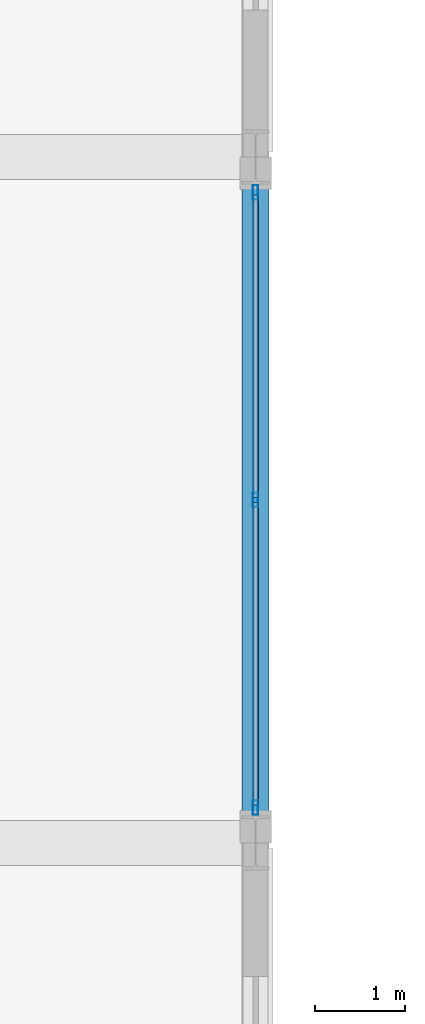
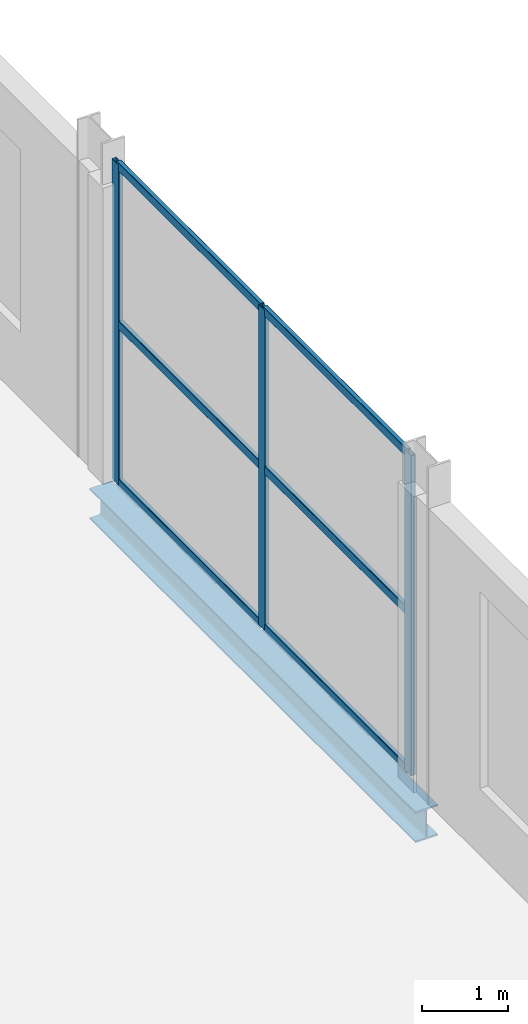
# One storey, part 76 of 120: 9 members, 1 beam, 1 element without a shape of its own.
"""IFC4 building model written with IfcOpenShell, lengths in metres."""

from ifc_helpers import new_model, si_unit, direction, frame, origin, origin_2d, place, context, subcontext, project, spatial, hollow_rectangle, i_section, extrude, material, layer, layer_set, material_profile, profile_set, type_object, element, aggregate, save


model = new_model("IFC4")

# Units and contexts
model_context = context("Model", 3, precision=1e-05, world=origin(), true_north=direction((0.0, 1.0)))
body_context = subcontext(model_context, "Body", "Model", "MODEL_VIEW")
ifc_project = project(units=[si_unit("LENGTHUNIT", "METRE"), si_unit("AREAUNIT", "SQUARE_METRE"), si_unit("VOLUMEUNIT", "CUBIC_METRE"), si_unit("PLANEANGLEUNIT", "RADIAN"), si_unit("MASSUNIT", "GRAM", prefix="KILO")], contexts=[model_context])

# Site, building, storey
site_placement = place(None, origin())
site = spatial("IfcSite", under=ifc_project, at=site_placement, CompositionType="ELEMENT")
building_placement = place(site_placement, origin())
building = spatial("IfcBuilding", under=site, at=building_placement, Name="Vekula Escarpment Museum", CompositionType="ELEMENT")
storey_placement = place(building_placement, frame((0.0, 0.0, 13.199951171875)))
storey = spatial("IfcBuildingStorey", under=building, at=storey_placement, Name="L03", CompositionType="ELEMENT", Elevation=13.199951171875)

# Beam
ifc_material_1 = material(Name="Steel S355", Category="steel")
ifc_material_profile_1 = material_profile(ifc_material_1, i_section(OverallWidth=0.300048828125, OverallDepth=0.43994140625, WebThickness=0.011474609375, FlangeThickness=0.02099609375, FilletRadius=0.027099609375, at=origin_2d()), Name="HEA 450")
ifc_profile_set_1 = profile_set([ifc_material_profile_1], Name="Steel S355")
beam_type = type_object("IfcBeamType", Name="BM-SPAN-HEA450", PredefinedType="SPANDREL", material=ifc_profile_set_1)
beam_placement = place(storey_placement, frame((198.0, 98.0, -0.5), z_axis=(0.0, 1.0, 0.0), x_axis=(-1.0, 0.0, 0.0)))
element("IfcBeam", 1, at=beam_placement, inside=storey, type_object=beam_type, Name="Cumba East Spandrel L03 2380", PredefinedType="SPANDREL", context=body_context, shape_type="SweptSolid", body=[
    extrude(i_section(OverallWidth=0.300048828125, OverallDepth=0.43994140625, WebThickness=0.011474609375, FlangeThickness=0.02099609375, FilletRadius=0.027099609375, at=origin_2d()), origin(), (0.0, 0.0, 1.0), 7.60009765625),
])

# Curtain wall, members
ifc_material_2 = material(Name="Aluminium thermally broken framing", Category="aluminium")
ifc_layer = layer(ifc_material_2, 0.139892578125)
ifc_layer_set = layer_set([ifc_layer], Name="Aluminium thermally broken framing")
curtain_wall_type = type_object("IfcCurtainWallType", Name="CW-SYS-06", PredefinedType="NOTDEFINED", material=ifc_layer_set)
curtain_wall_placement = place(storey_placement, origin())
curtain_wall = element("IfcCurtainWall", 2, at=curtain_wall_placement, inside=storey, type_object=curtain_wall_type, Name="Curtain Wall CW-L03-116", PredefinedType="NOTDEFINED")
ifc_material_3 = material(Name="Aluminium anodized mullion", Category="aluminium")
ifc_material_profile_2 = material_profile(ifc_material_3, hollow_rectangle(XDim=0.06005859375, YDim=0.159912109375, WallThickness=0.00390625, InnerFilletRadius=0.00390625, OuterFilletRadius=0.008056640625, at=origin_2d()), Name="ALU 160x60x4")
ifc_profile_set_2 = profile_set([ifc_material_profile_2], Name="Aluminium anodized mullion")
member_type_1 = type_object("IfcMemberType", Name="CW-MUL-160", PredefinedType="MULLION", material=ifc_profile_set_2)
member_1_placement = place(storey_placement, frame((198.0, 98.389892578125, 0.0), z_axis=(0.0, 0.0, 1.0), x_axis=(-1.0, 0.0, 0.0)))
member_1 = element("IfcMember", 3, at=member_1_placement, type_object=member_type_1, Name="CW-06 mullion 1", PredefinedType="MULLION", context=body_context, shape_type="SweptSolid", body=[
    extrude(hollow_rectangle(XDim=0.06005859375, YDim=0.159912109375, WallThickness=0.00390625, InnerFilletRadius=0.00390625, OuterFilletRadius=0.008056640625, at=origin_2d()), origin(), (0.0, 0.0, 1.0), 4.56005859375),
])
member_2_placement = place(storey_placement, frame((198.0, 101.800048828125, 0.0), z_axis=(0.0, 0.0, 1.0), x_axis=(-1.0, 0.0, 0.0)))
member_2 = element("IfcMember", 4, at=member_2_placement, type_object=member_type_1, Name="CW-06 mullion 2", PredefinedType="MULLION", context=body_context, shape_type="SweptSolid", body=[
    extrude(hollow_rectangle(XDim=0.06005859375, YDim=0.159912109375, WallThickness=0.00390625, InnerFilletRadius=0.00390625, OuterFilletRadius=0.008056640625, at=origin_2d()), origin(), (0.0, 0.0, 1.0), 4.56005859375),
])
member_3_placement = place(storey_placement, frame((198.0, 105.2099609375, 0.0), z_axis=(0.0, 0.0, 1.0), x_axis=(-1.0, 0.0, 0.0)))
member_3 = element("IfcMember", 5, at=member_3_placement, type_object=member_type_1, Name="CW-06 mullion 3", PredefinedType="MULLION", context=body_context, shape_type="SweptSolid", body=[
    extrude(hollow_rectangle(XDim=0.06005859375, YDim=0.159912109375, WallThickness=0.00390625, InnerFilletRadius=0.00390625, OuterFilletRadius=0.008056640625, at=origin_2d()), origin(), (0.0, 0.0, 1.0), 4.56005859375),
])
ifc_material_4 = material(Name="Aluminium anodized transom", Category="aluminium")
ifc_material_profile_3 = material_profile(ifc_material_4, hollow_rectangle(XDim=0.06005859375, YDim=0.1201171875, WallThickness=0.00390625, InnerFilletRadius=0.00390625, OuterFilletRadius=0.008056640625, at=origin_2d()), Name="ALU 120x60x4")
ifc_profile_set_3 = profile_set([ifc_material_profile_3], Name="Aluminium anodized transom")
member_type_2 = type_object("IfcMemberType", Name="CW-TRN-120", PredefinedType="USERDEFINED", material=ifc_profile_set_3)
member_4_placement = place(storey_placement, frame((198.0, 98.419921875, 0.030029296875), z_axis=(0.0, 1.0, 0.0), x_axis=(-1.0, 0.0, 0.0)))
member_4 = element("IfcMember", 6, at=member_4_placement, type_object=member_type_2, Name="CW-06 transom 1.1", ObjectType="TRANSOM", PredefinedType="USERDEFINED", context=body_context, shape_type="SweptSolid", body=[
    extrude(hollow_rectangle(XDim=0.06005859375, YDim=0.1201171875, WallThickness=0.00390625, InnerFilletRadius=0.00390625, OuterFilletRadius=0.008056640625, at=origin_2d()), origin(), (0.0, 0.0, 1.0), 3.35009765625),
])
member_5_placement = place(storey_placement, frame((198.0, 98.419921875, 2.280029296875), z_axis=(0.0, 1.0, 0.0), x_axis=(-1.0, 0.0, 0.0)))
member_5 = element("IfcMember", 7, at=member_5_placement, type_object=member_type_2, Name="CW-06 transom 1.2", ObjectType="TRANSOM", PredefinedType="USERDEFINED", context=body_context, shape_type="SweptSolid", body=[
    extrude(hollow_rectangle(XDim=0.06005859375, YDim=0.1201171875, WallThickness=0.00390625, InnerFilletRadius=0.00390625, OuterFilletRadius=0.008056640625, at=origin_2d()), origin(), (0.0, 0.0, 1.0), 3.35009765625),
])
member_6_placement = place(storey_placement, frame((198.0, 98.419921875, 4.530029296875), z_axis=(0.0, 1.0, 0.0), x_axis=(-1.0, 0.0, 0.0)))
member_6 = element("IfcMember", 8, at=member_6_placement, type_object=member_type_2, Name="CW-06 transom 1.3", ObjectType="TRANSOM", PredefinedType="USERDEFINED", context=body_context, shape_type="SweptSolid", body=[
    extrude(hollow_rectangle(XDim=0.06005859375, YDim=0.1201171875, WallThickness=0.00390625, InnerFilletRadius=0.00390625, OuterFilletRadius=0.008056640625, at=origin_2d()), origin(), (0.0, 0.0, 1.0), 3.35009765625),
])
member_7_placement = place(storey_placement, frame((198.0, 101.830078125, 0.030029296875), z_axis=(0.0, 1.0, 0.0), x_axis=(-1.0, 0.0, 0.0)))
member_7 = element("IfcMember", 9, at=member_7_placement, type_object=member_type_2, Name="CW-06 transom 2.1", ObjectType="TRANSOM", PredefinedType="USERDEFINED", context=body_context, shape_type="SweptSolid", body=[
    extrude(hollow_rectangle(XDim=0.06005859375, YDim=0.1201171875, WallThickness=0.00390625, InnerFilletRadius=0.00390625, OuterFilletRadius=0.008056640625, at=origin_2d()), origin(), (0.0, 0.0, 1.0), 3.349853515625),
])
member_8_placement = place(storey_placement, frame((198.0, 101.830078125, 2.280029296875), z_axis=(0.0, 1.0, 0.0), x_axis=(-1.0, 0.0, 0.0)))
member_8 = element("IfcMember", 10, at=member_8_placement, type_object=member_type_2, Name="CW-06 transom 2.2", ObjectType="TRANSOM", PredefinedType="USERDEFINED", context=body_context, shape_type="SweptSolid", body=[
    extrude(hollow_rectangle(XDim=0.06005859375, YDim=0.1201171875, WallThickness=0.00390625, InnerFilletRadius=0.00390625, OuterFilletRadius=0.008056640625, at=origin_2d()), origin(), (0.0, 0.0, 1.0), 3.349853515625),
])
member_9_placement = place(storey_placement, frame((198.0, 101.830078125, 4.530029296875), z_axis=(0.0, 1.0, 0.0), x_axis=(-1.0, 0.0, 0.0)))
member_9 = element("IfcMember", 11, at=member_9_placement, type_object=member_type_2, Name="CW-06 transom 2.3", ObjectType="TRANSOM", PredefinedType="USERDEFINED", context=body_context, shape_type="SweptSolid", body=[
    extrude(hollow_rectangle(XDim=0.06005859375, YDim=0.1201171875, WallThickness=0.00390625, InnerFilletRadius=0.00390625, OuterFilletRadius=0.008056640625, at=origin_2d()), origin(), (0.0, 0.0, 1.0), 3.349853515625),
])
aggregate(curtain_wall, [member_1, member_2, member_3, member_4, member_5, member_6, member_7, member_8, member_9])

save(model, "model.ifc")
